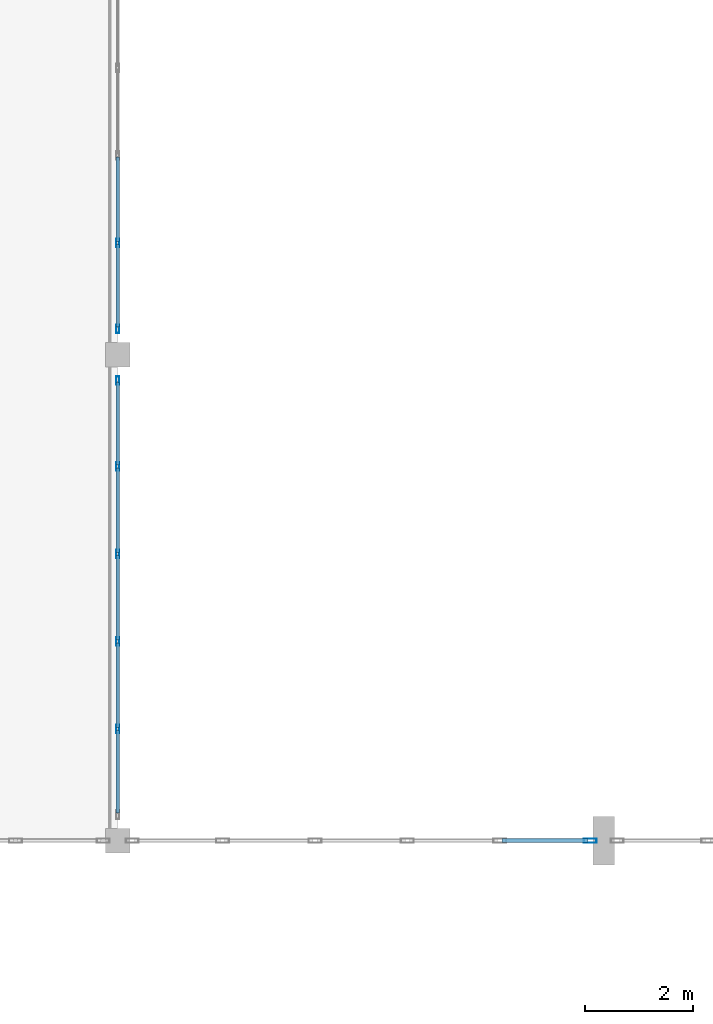
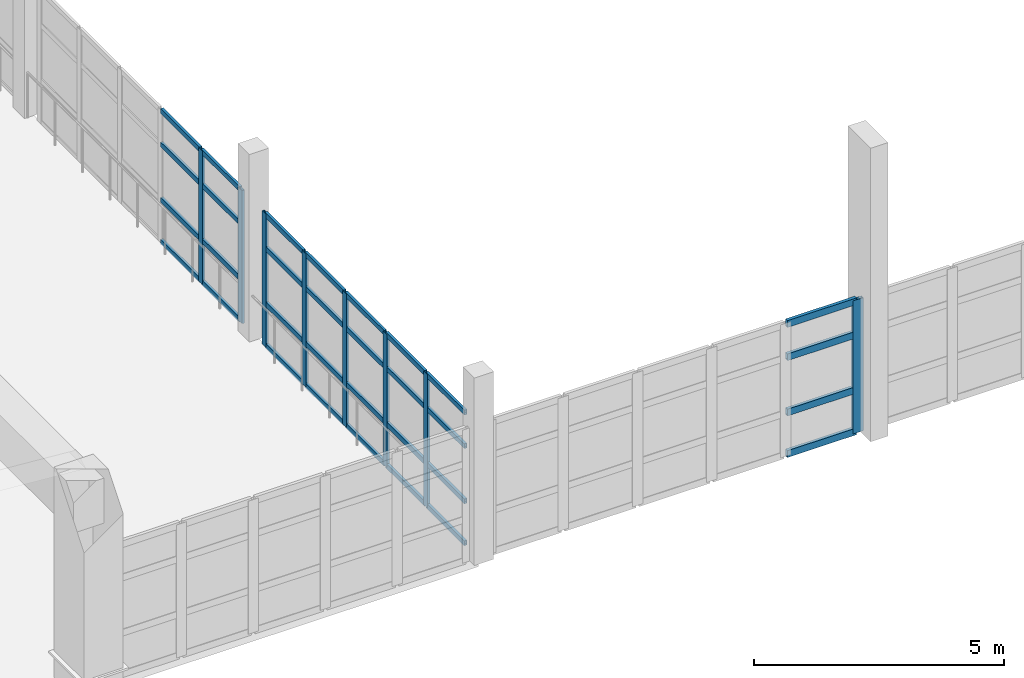
# One storey, part 9 of 80: 40 members, 3 elements without a shape of their own.
"""IFC4 building model written with IfcOpenShell, lengths in metres."""

from ifc_helpers import new_model, si_unit, direction, frame, origin, origin_2d, place, context, subcontext, project, spatial, hollow_rectangle, extrude, material, layer, layer_set, material_profile, profile_set, type_object, element, aggregate, save


model = new_model("IFC4")

# Units and contexts
model_context = context("Model", 3, precision=1e-05, world=origin(), true_north=direction((0.0, 1.0)))
body_context = subcontext(model_context, "Body", "Model", "MODEL_VIEW")
ifc_project = project(units=[si_unit("LENGTHUNIT", "METRE"), si_unit("AREAUNIT", "SQUARE_METRE"), si_unit("VOLUMEUNIT", "CUBIC_METRE"), si_unit("PLANEANGLEUNIT", "RADIAN"), si_unit("MASSUNIT", "GRAM", prefix="KILO")], contexts=[model_context])

# Site, building, storey
site_placement = place(None, origin())
site = spatial("IfcSite", under=ifc_project, at=site_placement, CompositionType="ELEMENT")
building_placement = place(site_placement, origin())
building = spatial("IfcBuilding", under=site, at=building_placement, Name="Ornek Quay Market", CompositionType="ELEMENT")
storey_placement = place(building_placement, frame((0.0, 0.0, 8.39990234375)))
storey = spatial("IfcBuildingStorey", under=building, at=storey_placement, Name="L02", CompositionType="ELEMENT", Elevation=8.39990234375)

# Curtain wall, members
ifc_material_1 = material(Name="Anodised bronze aluminium and triple low-e glass", Category="aluminium")
ifc_layer_1 = layer(ifc_material_1, 0.139892578125, Name="Anodised bronze aluminium and triple low-e glass", Category="aluminium")
ifc_layer_set_1 = layer_set([ifc_layer_1], Name="Anodised bronze aluminium and triple low-e glass")
curtain_wall_type_1 = type_object("IfcCurtainWallType", Name="CW-GALLERY-INT", PredefinedType="USERDEFINED", material=ifc_layer_set_1)
curtain_wall_1_placement = place(storey_placement, origin())
curtain_wall_1 = element("IfcCurtainWall", 1, at=curtain_wall_1_placement, inside=storey, type_object=curtain_wall_type_1, Name="Curtain wall CW-109", ObjectType="CURTAIN WALL", PredefinedType="USERDEFINED")
ifc_material_2 = material(Name="Anodised aluminium 6063-T6", Category="aluminium")
ifc_material_profile_1 = material_profile(ifc_material_2, hollow_rectangle(XDim=0.06005859375, YDim=0.159912109375, WallThickness=0.00390625, at=origin_2d()), Name="CW-MUL-60x160", Category="aluminium")
ifc_profile_set_1 = profile_set([ifc_material_profile_1], Name="Anodised aluminium 6063-T6")
member_type_1 = type_object("IfcMemberType", Name="CW-MUL-60x160", PredefinedType="MULLION", material=ifc_profile_set_1)
member_1_placement = place(storey_placement, frame((72.0, 31.070068359375, 0.0), z_axis=(0.0, 0.0, 1.0), x_axis=(-1.0, 0.0, 0.0)))
member_1 = element("IfcMember", 2, at=member_1_placement, type_object=member_type_1, Name="CW-109 mullion 2", PredefinedType="MULLION", context=body_context, shape_type="SweptSolid", body=[
    extrude(hollow_rectangle(XDim=0.06005859375, YDim=0.159912109375, WallThickness=0.00390625, at=origin_2d()), origin(), (0.0, 0.0, 1.0), 3.25),
])
member_2_placement = place(storey_placement, frame((72.0, 32.68994140625, 0.0), z_axis=(0.0, 0.0, 1.0), x_axis=(-1.0, 0.0, 0.0)))
member_2 = element("IfcMember", 3, at=member_2_placement, type_object=member_type_1, Name="CW-109 mullion 3", PredefinedType="MULLION", context=body_context, shape_type="SweptSolid", body=[
    extrude(hollow_rectangle(XDim=0.06005859375, YDim=0.159912109375, WallThickness=0.00390625, at=origin_2d()), origin(), (0.0, 0.0, 1.0), 3.25),
])
member_3_placement = place(storey_placement, frame((72.0, 34.31005859375, 0.0), z_axis=(0.0, 0.0, 1.0), x_axis=(-1.0, 0.0, 0.0)))
member_3 = element("IfcMember", 4, at=member_3_placement, type_object=member_type_1, Name="CW-109 mullion 4", PredefinedType="MULLION", context=body_context, shape_type="SweptSolid", body=[
    extrude(hollow_rectangle(XDim=0.06005859375, YDim=0.159912109375, WallThickness=0.00390625, at=origin_2d()), origin(), (0.0, 0.0, 1.0), 3.25),
])
member_4_placement = place(storey_placement, frame((72.0, 35.929931640625, 0.0), z_axis=(0.0, 0.0, 1.0), x_axis=(-1.0, 0.0, 0.0)))
member_4 = element("IfcMember", 5, at=member_4_placement, type_object=member_type_1, Name="CW-109 mullion 5", PredefinedType="MULLION", context=body_context, shape_type="SweptSolid", body=[
    extrude(hollow_rectangle(XDim=0.06005859375, YDim=0.159912109375, WallThickness=0.00390625, at=origin_2d()), origin(), (0.0, 0.0, 1.0), 3.25),
])
member_5_placement = place(storey_placement, frame((72.0, 37.52001953125, 0.0), z_axis=(0.0, 0.0, 1.0), x_axis=(-1.0, 0.0, 0.0)))
member_5 = element("IfcMember", 6, at=member_5_placement, type_object=member_type_1, Name="CW-109 mullion 6", PredefinedType="MULLION", context=body_context, shape_type="SweptSolid", body=[
    extrude(hollow_rectangle(XDim=0.06005859375, YDim=0.159912109375, WallThickness=0.00390625, at=origin_2d()), origin(), (0.0, 0.0, 1.0), 3.25),
])

curtain_wall_2_placement = place(storey_placement, origin())
curtain_wall_2 = element("IfcCurtainWall", 7, at=curtain_wall_2_placement, inside=storey, type_object=curtain_wall_type_1, Name="Curtain wall CW-110", ObjectType="CURTAIN WALL", PredefinedType="USERDEFINED")
member_6_placement = place(storey_placement, frame((72.0, 38.47998046875, 0.0), z_axis=(0.0, 0.0, 1.0), x_axis=(-1.0, 0.0, 0.0)))
member_6 = element("IfcMember", 8, at=member_6_placement, type_object=member_type_1, Name="CW-110 mullion 1", PredefinedType="MULLION", context=body_context, shape_type="SweptSolid", body=[
    extrude(hollow_rectangle(XDim=0.06005859375, YDim=0.159912109375, WallThickness=0.00390625, at=origin_2d()), origin(), (0.0, 0.0, 1.0), 3.25),
])
member_7_placement = place(storey_placement, frame((72.0, 40.070068359375, 0.0), z_axis=(0.0, 0.0, 1.0), x_axis=(-1.0, 0.0, 0.0)))
member_7 = element("IfcMember", 9, at=member_7_placement, type_object=member_type_1, Name="CW-110 mullion 2", PredefinedType="MULLION", context=body_context, shape_type="SweptSolid", body=[
    extrude(hollow_rectangle(XDim=0.06005859375, YDim=0.159912109375, WallThickness=0.00390625, at=origin_2d()), origin(), (0.0, 0.0, 1.0), 3.25),
])

# Curtain wall, member
ifc_layer_2 = layer(ifc_material_1, 0.239990234375, Name="Anodised bronze aluminium and triple low-e glass", Category="aluminium")
ifc_layer_set_2 = layer_set([ifc_layer_2], Name="Anodised bronze aluminium and triple low-e glass")
curtain_wall_type_2 = type_object("IfcCurtainWallType", Name="CW-GAB-MOD1800", PredefinedType="USERDEFINED", material=ifc_layer_set_2)
curtain_wall_3_placement = place(storey_placement, origin())
curtain_wall_3 = element("IfcCurtainWall", 10, at=curtain_wall_3_placement, inside=storey, type_object=curtain_wall_type_2, Name="Curtain wall CW-066", ObjectType="CURTAIN WALL", PredefinedType="USERDEFINED")
ifc_material_profile_2 = material_profile(ifc_material_2, hollow_rectangle(XDim=0.080078125, YDim=0.239990234375, WallThickness=0.006103515625, at=origin_2d()), Name="CW-MUL-80x240", Category="aluminium")
ifc_profile_set_2 = profile_set([ifc_material_profile_2], Name="Anodised aluminium 6063-T6")
member_type_2 = type_object("IfcMemberType", Name="CW-MUL-80x240", PredefinedType="MULLION", material=ifc_profile_set_2)
member_8_placement = place(storey_placement, frame((80.75, 29.0, 0.0), z_axis=(0.0, 0.0, 1.0), x_axis=(0.0, 1.0, 0.0)))
member_8 = element("IfcMember", 11, at=member_8_placement, type_object=member_type_2, Name="CW-066 mullion 6", PredefinedType="MULLION", context=body_context, shape_type="SweptSolid", body=[
    extrude(hollow_rectangle(XDim=0.080078125, YDim=0.239990234375, WallThickness=0.006103515625, at=origin_2d()), origin(), (0.0, 0.0, 1.0), 3.25),
])

# Member
ifc_material_profile_3 = material_profile(ifc_material_2, hollow_rectangle(XDim=0.06005859375, YDim=0.1201171875, WallThickness=0.00390625, at=origin_2d()), Name="CW-TRN-60x120", Category="aluminium")
ifc_profile_set_3 = profile_set([ifc_material_profile_3], Name="Anodised aluminium 6063-T6")
member_type_3 = type_object("IfcMemberType", Name="CW-TRN-60x120", PredefinedType="USERDEFINED", material=ifc_profile_set_3)
member_9_placement = place(storey_placement, frame((72.0, 29.510009765625, 0.030029296875), z_axis=(0.0, 1.0, 0.0), x_axis=(-1.0, 0.0, 0.0)))
member_9 = element("IfcMember", 12, at=member_9_placement, type_object=member_type_3, Name="CW-109 transom 1.1", ObjectType="TRANSOM", PredefinedType="USERDEFINED", context=body_context, shape_type="SweptSolid", body=[
    extrude(hollow_rectangle(XDim=0.06005859375, YDim=0.1201171875, WallThickness=0.00390625, at=origin_2d()), origin(), (0.0, 0.0, 1.0), 1.530029296875),
])

member_10_placement = place(storey_placement, frame((72.0, 29.510009765625, 1.050048828125), z_axis=(0.0, 1.0, 0.0), x_axis=(-1.0, 0.0, 0.0)))
member_10 = element("IfcMember", 13, at=member_10_placement, type_object=member_type_3, Name="CW-109 transom 1.2", ObjectType="TRANSOM", PredefinedType="USERDEFINED", context=body_context, shape_type="SweptSolid", body=[
    extrude(hollow_rectangle(XDim=0.06005859375, YDim=0.1201171875, WallThickness=0.00390625, at=origin_2d()), origin(), (0.0, 0.0, 1.0), 1.530029296875),
])

member_11_placement = place(storey_placement, frame((72.0, 29.510009765625, 2.400146484375), z_axis=(0.0, 1.0, 0.0), x_axis=(-1.0, 0.0, 0.0)))
member_11 = element("IfcMember", 14, at=member_11_placement, type_object=member_type_3, Name="CW-109 transom 1.3", ObjectType="TRANSOM", PredefinedType="USERDEFINED", context=body_context, shape_type="SweptSolid", body=[
    extrude(hollow_rectangle(XDim=0.06005859375, YDim=0.1201171875, WallThickness=0.00390625, at=origin_2d()), origin(), (0.0, 0.0, 1.0), 1.530029296875),
])

member_12_placement = place(storey_placement, frame((72.0, 29.510009765625, 3.22021484375), z_axis=(0.0, 1.0, 0.0), x_axis=(-1.0, 0.0, 0.0)))
member_12 = element("IfcMember", 15, at=member_12_placement, type_object=member_type_3, Name="CW-109 transom 1.4", ObjectType="TRANSOM", PredefinedType="USERDEFINED", context=body_context, shape_type="SweptSolid", body=[
    extrude(hollow_rectangle(XDim=0.06005859375, YDim=0.1201171875, WallThickness=0.00390625, at=origin_2d()), origin(), (0.0, 0.0, 1.0), 1.530029296875),
])

member_13_placement = place(storey_placement, frame((72.0, 31.10009765625, 0.030029296875), z_axis=(0.0, 1.0, 0.0), x_axis=(-1.0, 0.0, 0.0)))
member_13 = element("IfcMember", 16, at=member_13_placement, type_object=member_type_3, Name="CW-109 transom 2.1", ObjectType="TRANSOM", PredefinedType="USERDEFINED", context=body_context, shape_type="SweptSolid", body=[
    extrude(hollow_rectangle(XDim=0.06005859375, YDim=0.1201171875, WallThickness=0.00390625, at=origin_2d()), origin(), (0.0, 0.0, 1.0), 1.559814453125),
])

member_14_placement = place(storey_placement, frame((72.0, 31.10009765625, 1.050048828125), z_axis=(0.0, 1.0, 0.0), x_axis=(-1.0, 0.0, 0.0)))
member_14 = element("IfcMember", 17, at=member_14_placement, type_object=member_type_3, Name="CW-109 transom 2.2", ObjectType="TRANSOM", PredefinedType="USERDEFINED", context=body_context, shape_type="SweptSolid", body=[
    extrude(hollow_rectangle(XDim=0.06005859375, YDim=0.1201171875, WallThickness=0.00390625, at=origin_2d()), origin(), (0.0, 0.0, 1.0), 1.559814453125),
])

member_15_placement = place(storey_placement, frame((72.0, 31.10009765625, 2.400146484375), z_axis=(0.0, 1.0, 0.0), x_axis=(-1.0, 0.0, 0.0)))
member_15 = element("IfcMember", 18, at=member_15_placement, type_object=member_type_3, Name="CW-109 transom 2.3", ObjectType="TRANSOM", PredefinedType="USERDEFINED", context=body_context, shape_type="SweptSolid", body=[
    extrude(hollow_rectangle(XDim=0.06005859375, YDim=0.1201171875, WallThickness=0.00390625, at=origin_2d()), origin(), (0.0, 0.0, 1.0), 1.559814453125),
])

member_16_placement = place(storey_placement, frame((72.0, 31.10009765625, 3.22021484375), z_axis=(0.0, 1.0, 0.0), x_axis=(-1.0, 0.0, 0.0)))
member_16 = element("IfcMember", 19, at=member_16_placement, type_object=member_type_3, Name="CW-109 transom 2.4", ObjectType="TRANSOM", PredefinedType="USERDEFINED", context=body_context, shape_type="SweptSolid", body=[
    extrude(hollow_rectangle(XDim=0.06005859375, YDim=0.1201171875, WallThickness=0.00390625, at=origin_2d()), origin(), (0.0, 0.0, 1.0), 1.559814453125),
])

member_17_placement = place(storey_placement, frame((72.0, 32.719970703125, 0.030029296875), z_axis=(0.0, 1.0, 0.0), x_axis=(-1.0, 0.0, 0.0)))
member_17 = element("IfcMember", 20, at=member_17_placement, type_object=member_type_3, Name="CW-109 transom 3.1", ObjectType="TRANSOM", PredefinedType="USERDEFINED", context=body_context, shape_type="SweptSolid", body=[
    extrude(hollow_rectangle(XDim=0.06005859375, YDim=0.1201171875, WallThickness=0.00390625, at=origin_2d()), origin(), (0.0, 0.0, 1.0), 1.56005859375),
])

member_18_placement = place(storey_placement, frame((72.0, 32.719970703125, 1.050048828125), z_axis=(0.0, 1.0, 0.0), x_axis=(-1.0, 0.0, 0.0)))
member_18 = element("IfcMember", 21, at=member_18_placement, type_object=member_type_3, Name="CW-109 transom 3.2", ObjectType="TRANSOM", PredefinedType="USERDEFINED", context=body_context, shape_type="SweptSolid", body=[
    extrude(hollow_rectangle(XDim=0.06005859375, YDim=0.1201171875, WallThickness=0.00390625, at=origin_2d()), origin(), (0.0, 0.0, 1.0), 1.56005859375),
])

member_19_placement = place(storey_placement, frame((72.0, 32.719970703125, 2.400146484375), z_axis=(0.0, 1.0, 0.0), x_axis=(-1.0, 0.0, 0.0)))
member_19 = element("IfcMember", 22, at=member_19_placement, type_object=member_type_3, Name="CW-109 transom 3.3", ObjectType="TRANSOM", PredefinedType="USERDEFINED", context=body_context, shape_type="SweptSolid", body=[
    extrude(hollow_rectangle(XDim=0.06005859375, YDim=0.1201171875, WallThickness=0.00390625, at=origin_2d()), origin(), (0.0, 0.0, 1.0), 1.56005859375),
])

member_20_placement = place(storey_placement, frame((72.0, 32.719970703125, 3.22021484375), z_axis=(0.0, 1.0, 0.0), x_axis=(-1.0, 0.0, 0.0)))
member_20 = element("IfcMember", 23, at=member_20_placement, type_object=member_type_3, Name="CW-109 transom 3.4", ObjectType="TRANSOM", PredefinedType="USERDEFINED", context=body_context, shape_type="SweptSolid", body=[
    extrude(hollow_rectangle(XDim=0.06005859375, YDim=0.1201171875, WallThickness=0.00390625, at=origin_2d()), origin(), (0.0, 0.0, 1.0), 1.56005859375),
])

member_21_placement = place(storey_placement, frame((72.0, 34.340087890625, 0.030029296875), z_axis=(0.0, 1.0, 0.0), x_axis=(-1.0, 0.0, 0.0)))
member_21 = element("IfcMember", 24, at=member_21_placement, type_object=member_type_3, Name="CW-109 transom 4.1", ObjectType="TRANSOM", PredefinedType="USERDEFINED", context=body_context, shape_type="SweptSolid", body=[
    extrude(hollow_rectangle(XDim=0.06005859375, YDim=0.1201171875, WallThickness=0.00390625, at=origin_2d()), origin(), (0.0, 0.0, 1.0), 1.559814453125),
])

member_22_placement = place(storey_placement, frame((72.0, 34.340087890625, 1.050048828125), z_axis=(0.0, 1.0, 0.0), x_axis=(-1.0, 0.0, 0.0)))
member_22 = element("IfcMember", 25, at=member_22_placement, type_object=member_type_3, Name="CW-109 transom 4.2", ObjectType="TRANSOM", PredefinedType="USERDEFINED", context=body_context, shape_type="SweptSolid", body=[
    extrude(hollow_rectangle(XDim=0.06005859375, YDim=0.1201171875, WallThickness=0.00390625, at=origin_2d()), origin(), (0.0, 0.0, 1.0), 1.559814453125),
])

member_23_placement = place(storey_placement, frame((72.0, 34.340087890625, 2.400146484375), z_axis=(0.0, 1.0, 0.0), x_axis=(-1.0, 0.0, 0.0)))
member_23 = element("IfcMember", 26, at=member_23_placement, type_object=member_type_3, Name="CW-109 transom 4.3", ObjectType="TRANSOM", PredefinedType="USERDEFINED", context=body_context, shape_type="SweptSolid", body=[
    extrude(hollow_rectangle(XDim=0.06005859375, YDim=0.1201171875, WallThickness=0.00390625, at=origin_2d()), origin(), (0.0, 0.0, 1.0), 1.559814453125),
])

member_24_placement = place(storey_placement, frame((72.0, 34.340087890625, 3.22021484375), z_axis=(0.0, 1.0, 0.0), x_axis=(-1.0, 0.0, 0.0)))
member_24 = element("IfcMember", 27, at=member_24_placement, type_object=member_type_3, Name="CW-109 transom 4.4", ObjectType="TRANSOM", PredefinedType="USERDEFINED", context=body_context, shape_type="SweptSolid", body=[
    extrude(hollow_rectangle(XDim=0.06005859375, YDim=0.1201171875, WallThickness=0.00390625, at=origin_2d()), origin(), (0.0, 0.0, 1.0), 1.559814453125),
])

member_25_placement = place(storey_placement, frame((72.0, 35.9599609375, 0.030029296875), z_axis=(0.0, 1.0, 0.0), x_axis=(-1.0, 0.0, 0.0)))
member_25 = element("IfcMember", 28, at=member_25_placement, type_object=member_type_3, Name="CW-109 transom 5.1", ObjectType="TRANSOM", PredefinedType="USERDEFINED", context=body_context, shape_type="SweptSolid", body=[
    extrude(hollow_rectangle(XDim=0.06005859375, YDim=0.1201171875, WallThickness=0.00390625, at=origin_2d()), origin(), (0.0, 0.0, 1.0), 1.530029296875),
])

member_26_placement = place(storey_placement, frame((72.0, 35.9599609375, 1.050048828125), z_axis=(0.0, 1.0, 0.0), x_axis=(-1.0, 0.0, 0.0)))
member_26 = element("IfcMember", 29, at=member_26_placement, type_object=member_type_3, Name="CW-109 transom 5.2", ObjectType="TRANSOM", PredefinedType="USERDEFINED", context=body_context, shape_type="SweptSolid", body=[
    extrude(hollow_rectangle(XDim=0.06005859375, YDim=0.1201171875, WallThickness=0.00390625, at=origin_2d()), origin(), (0.0, 0.0, 1.0), 1.530029296875),
])

member_27_placement = place(storey_placement, frame((72.0, 35.9599609375, 2.400146484375), z_axis=(0.0, 1.0, 0.0), x_axis=(-1.0, 0.0, 0.0)))
member_27 = element("IfcMember", 30, at=member_27_placement, type_object=member_type_3, Name="CW-109 transom 5.3", ObjectType="TRANSOM", PredefinedType="USERDEFINED", context=body_context, shape_type="SweptSolid", body=[
    extrude(hollow_rectangle(XDim=0.06005859375, YDim=0.1201171875, WallThickness=0.00390625, at=origin_2d()), origin(), (0.0, 0.0, 1.0), 1.530029296875),
])

member_28_placement = place(storey_placement, frame((72.0, 35.9599609375, 3.22021484375), z_axis=(0.0, 1.0, 0.0), x_axis=(-1.0, 0.0, 0.0)))
member_28 = element("IfcMember", 31, at=member_28_placement, type_object=member_type_3, Name="CW-109 transom 5.4", ObjectType="TRANSOM", PredefinedType="USERDEFINED", context=body_context, shape_type="SweptSolid", body=[
    extrude(hollow_rectangle(XDim=0.06005859375, YDim=0.1201171875, WallThickness=0.00390625, at=origin_2d()), origin(), (0.0, 0.0, 1.0), 1.530029296875),
])

aggregate(curtain_wall_1, [member_1, member_2, member_3, member_4, member_5, member_9, member_10, member_11, member_12, member_13, member_14, member_15, member_16, member_17, member_18, member_19, member_20, member_21, member_22, member_23, member_24, member_25, member_26, member_27, member_28])

member_29_placement = place(storey_placement, frame((72.0, 38.510009765625, 0.030029296875), z_axis=(0.0, 1.0, 0.0), x_axis=(-1.0, 0.0, 0.0)))
member_29 = element("IfcMember", 32, at=member_29_placement, type_object=member_type_3, Name="CW-110 transom 1.1", ObjectType="TRANSOM", PredefinedType="USERDEFINED", context=body_context, shape_type="SweptSolid", body=[
    extrude(hollow_rectangle(XDim=0.06005859375, YDim=0.1201171875, WallThickness=0.00390625, at=origin_2d()), origin(), (0.0, 0.0, 1.0), 1.530029296875),
])

member_30_placement = place(storey_placement, frame((72.0, 38.510009765625, 1.050048828125), z_axis=(0.0, 1.0, 0.0), x_axis=(-1.0, 0.0, 0.0)))
member_30 = element("IfcMember", 33, at=member_30_placement, type_object=member_type_3, Name="CW-110 transom 1.2", ObjectType="TRANSOM", PredefinedType="USERDEFINED", context=body_context, shape_type="SweptSolid", body=[
    extrude(hollow_rectangle(XDim=0.06005859375, YDim=0.1201171875, WallThickness=0.00390625, at=origin_2d()), origin(), (0.0, 0.0, 1.0), 1.530029296875),
])

member_31_placement = place(storey_placement, frame((72.0, 38.510009765625, 2.400146484375), z_axis=(0.0, 1.0, 0.0), x_axis=(-1.0, 0.0, 0.0)))
member_31 = element("IfcMember", 34, at=member_31_placement, type_object=member_type_3, Name="CW-110 transom 1.3", ObjectType="TRANSOM", PredefinedType="USERDEFINED", context=body_context, shape_type="SweptSolid", body=[
    extrude(hollow_rectangle(XDim=0.06005859375, YDim=0.1201171875, WallThickness=0.00390625, at=origin_2d()), origin(), (0.0, 0.0, 1.0), 1.530029296875),
])

member_32_placement = place(storey_placement, frame((72.0, 38.510009765625, 3.22021484375), z_axis=(0.0, 1.0, 0.0), x_axis=(-1.0, 0.0, 0.0)))
member_32 = element("IfcMember", 35, at=member_32_placement, type_object=member_type_3, Name="CW-110 transom 1.4", ObjectType="TRANSOM", PredefinedType="USERDEFINED", context=body_context, shape_type="SweptSolid", body=[
    extrude(hollow_rectangle(XDim=0.06005859375, YDim=0.1201171875, WallThickness=0.00390625, at=origin_2d()), origin(), (0.0, 0.0, 1.0), 1.530029296875),
])

member_33_placement = place(storey_placement, frame((72.0, 40.10009765625, 0.030029296875), z_axis=(0.0, 1.0, 0.0), x_axis=(-1.0, 0.0, 0.0)))
member_33 = element("IfcMember", 36, at=member_33_placement, type_object=member_type_3, Name="CW-110 transom 2.1", ObjectType="TRANSOM", PredefinedType="USERDEFINED", context=body_context, shape_type="SweptSolid", body=[
    extrude(hollow_rectangle(XDim=0.06005859375, YDim=0.1201171875, WallThickness=0.00390625, at=origin_2d()), origin(), (0.0, 0.0, 1.0), 1.559814453125),
])

member_34_placement = place(storey_placement, frame((72.0, 40.10009765625, 1.050048828125), z_axis=(0.0, 1.0, 0.0), x_axis=(-1.0, 0.0, 0.0)))
member_34 = element("IfcMember", 37, at=member_34_placement, type_object=member_type_3, Name="CW-110 transom 2.2", ObjectType="TRANSOM", PredefinedType="USERDEFINED", context=body_context, shape_type="SweptSolid", body=[
    extrude(hollow_rectangle(XDim=0.06005859375, YDim=0.1201171875, WallThickness=0.00390625, at=origin_2d()), origin(), (0.0, 0.0, 1.0), 1.559814453125),
])

member_35_placement = place(storey_placement, frame((72.0, 40.10009765625, 2.400146484375), z_axis=(0.0, 1.0, 0.0), x_axis=(-1.0, 0.0, 0.0)))
member_35 = element("IfcMember", 38, at=member_35_placement, type_object=member_type_3, Name="CW-110 transom 2.3", ObjectType="TRANSOM", PredefinedType="USERDEFINED", context=body_context, shape_type="SweptSolid", body=[
    extrude(hollow_rectangle(XDim=0.06005859375, YDim=0.1201171875, WallThickness=0.00390625, at=origin_2d()), origin(), (0.0, 0.0, 1.0), 1.559814453125),
])

member_36_placement = place(storey_placement, frame((72.0, 40.10009765625, 3.22021484375), z_axis=(0.0, 1.0, 0.0), x_axis=(-1.0, 0.0, 0.0)))
member_36 = element("IfcMember", 39, at=member_36_placement, type_object=member_type_3, Name="CW-110 transom 2.4", ObjectType="TRANSOM", PredefinedType="USERDEFINED", context=body_context, shape_type="SweptSolid", body=[
    extrude(hollow_rectangle(XDim=0.06005859375, YDim=0.1201171875, WallThickness=0.00390625, at=origin_2d()), origin(), (0.0, 0.0, 1.0), 1.559814453125),
])

aggregate(curtain_wall_2, [member_6, member_7, member_29, member_30, member_31, member_32, member_33, member_34, member_35, member_36])

ifc_material_profile_4 = material_profile(ifc_material_2, hollow_rectangle(XDim=0.074951171875, YDim=0.1650390625, WallThickness=0.0048828125, at=origin_2d()), Name="CW-TRN-75x165", Category="aluminium")
ifc_profile_set_4 = profile_set([ifc_material_profile_4], Name="Anodised aluminium 6063-T6")
member_type_4 = type_object("IfcMemberType", Name="CW-TRN-75x165", PredefinedType="USERDEFINED", material=ifc_profile_set_4)
member_37_placement = place(storey_placement, frame((79.117919921875, 29.0, 0.03759765625), z_axis=(1.0, 0.0, 0.0), x_axis=(0.0, 1.0, 0.0)))
member_37 = element("IfcMember", 40, at=member_37_placement, type_object=member_type_4, Name="CW-066 transom 5.1", ObjectType="TRANSOM", PredefinedType="USERDEFINED", context=body_context, shape_type="SweptSolid", body=[
    extrude(hollow_rectangle(XDim=0.074951171875, YDim=0.1650390625, WallThickness=0.0048828125, at=origin_2d()), origin(), (0.0, 0.0, 1.0), 1.592041015625),
])

member_38_placement = place(storey_placement, frame((79.117919921875, 29.0, 1.050048828125), z_axis=(1.0, 0.0, 0.0), x_axis=(0.0, 1.0, 0.0)))
member_38 = element("IfcMember", 41, at=member_38_placement, type_object=member_type_4, Name="CW-066 transom 5.2", ObjectType="TRANSOM", PredefinedType="USERDEFINED", context=body_context, shape_type="SweptSolid", body=[
    extrude(hollow_rectangle(XDim=0.074951171875, YDim=0.1650390625, WallThickness=0.0048828125, at=origin_2d()), origin(), (0.0, 0.0, 1.0), 1.592041015625),
])

member_39_placement = place(storey_placement, frame((79.117919921875, 29.0, 2.400146484375), z_axis=(1.0, 0.0, 0.0), x_axis=(0.0, 1.0, 0.0)))
member_39 = element("IfcMember", 42, at=member_39_placement, type_object=member_type_4, Name="CW-066 transom 5.3", ObjectType="TRANSOM", PredefinedType="USERDEFINED", context=body_context, shape_type="SweptSolid", body=[
    extrude(hollow_rectangle(XDim=0.074951171875, YDim=0.1650390625, WallThickness=0.0048828125, at=origin_2d()), origin(), (0.0, 0.0, 1.0), 1.592041015625),
])

member_40_placement = place(storey_placement, frame((79.117919921875, 29.0, 3.212646484375), z_axis=(1.0, 0.0, 0.0), x_axis=(0.0, 1.0, 0.0)))
member_40 = element("IfcMember", 43, at=member_40_placement, type_object=member_type_4, Name="CW-066 transom 5.4", ObjectType="TRANSOM", PredefinedType="USERDEFINED", context=body_context, shape_type="SweptSolid", body=[
    extrude(hollow_rectangle(XDim=0.074951171875, YDim=0.1650390625, WallThickness=0.0048828125, at=origin_2d()), origin(), (0.0, 0.0, 1.0), 1.592041015625),
])

aggregate(curtain_wall_3, [member_8, member_37, member_38, member_39, member_40])

save(model, "model.ifc")
